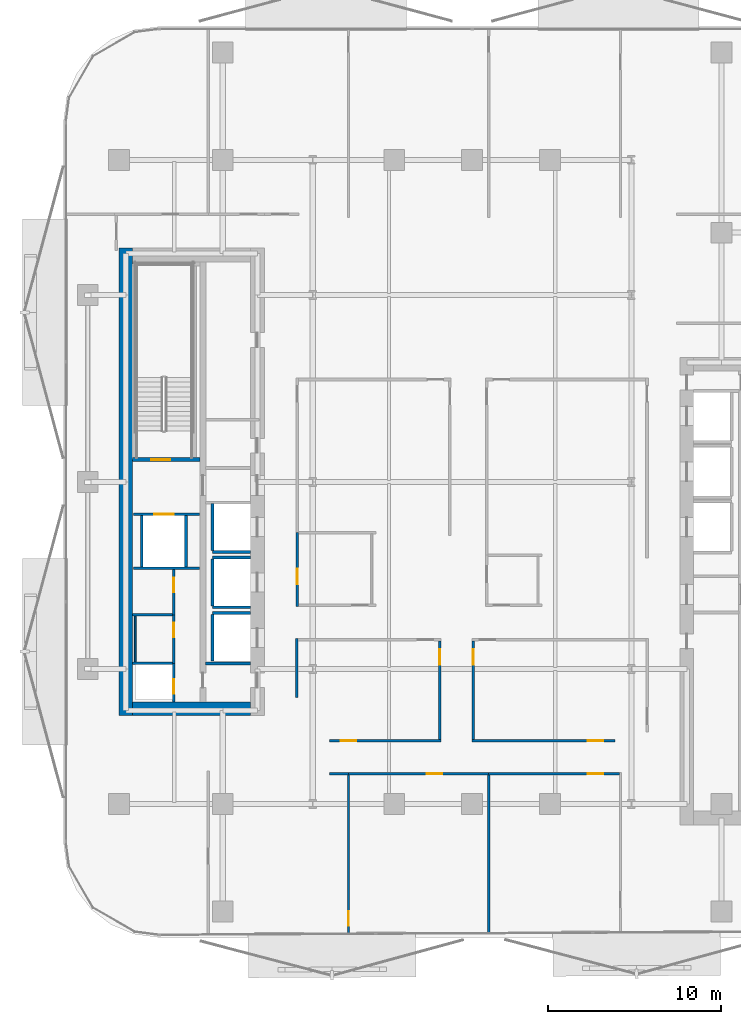
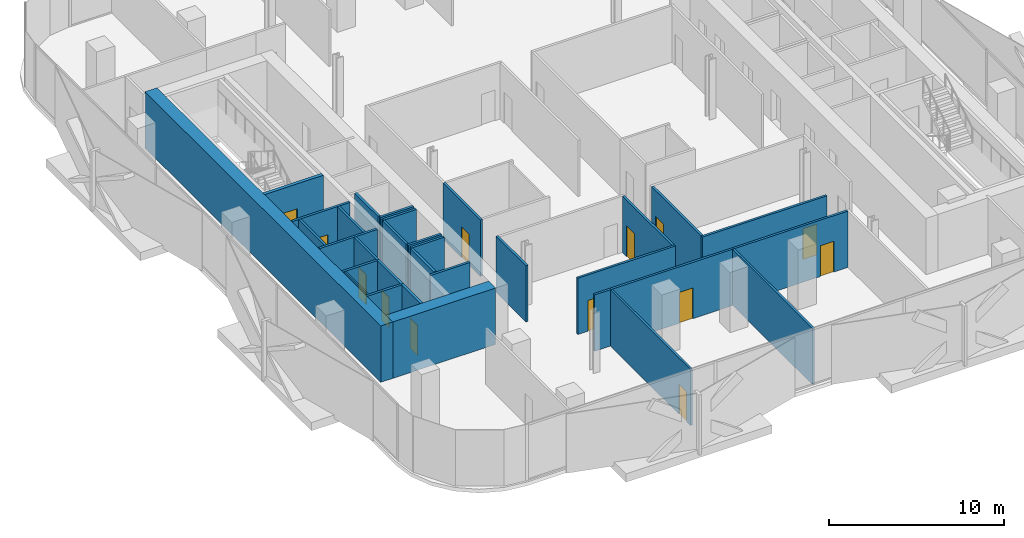
# One storey, part 3 of 15: 32 walls, 13 doors, 13 openings.
"""IFC4 building model written with IfcOpenShell, lengths in metres."""

from ifc_helpers import new_model, si_unit, direction, frame, frame_2d, origin, place, context, subcontext, project, spatial, rectangle, extrude, material, layer, layer_set, type_object, element, fill, save


model = new_model("IFC4")

# Units and contexts
model_context = context("Model", 3, precision=1e-05, world=origin(), true_north=direction((0.0, 1.0)))
body_context = subcontext(model_context, "Body", "Model", "MODEL_VIEW")
ifc_project = project(units=[si_unit("LENGTHUNIT", "METRE"), si_unit("AREAUNIT", "SQUARE_METRE"), si_unit("VOLUMEUNIT", "CUBIC_METRE"), si_unit("PLANEANGLEUNIT", "RADIAN"), si_unit("MASSUNIT", "GRAM", prefix="KILO")], contexts=[model_context])

# Site, building, storey
site_placement = place(None, origin())
site = spatial("IfcSite", under=ifc_project, at=site_placement, CompositionType="ELEMENT")
building_placement = place(site_placement, origin())
building = spatial("IfcBuilding", under=site, at=building_placement, Name="Khairoan Windgate Tower", CompositionType="ELEMENT")
storey_placement = place(building_placement, frame((0.0, 0.0, 135.199951171875)))
storey = spatial("IfcBuildingStorey", under=building, at=storey_placement, Name="L31", CompositionType="ELEMENT", Elevation=135.199951171875)

# Walls
ifc_material_1 = material(Name="Moisture-Resistant Gypsum Partition", Category="gypsum")
ifc_layer_1 = layer(ifc_material_1, 0.10009765625, Name="Moisture-Resistant Gypsum Partition")
ifc_layer_set_1 = layer_set([ifc_layer_1], Name="Moisture-Resistant Gypsum Partition")
wall_type_1 = type_object("IfcWallType", Name="Bathroom Wet-Area Partition Wall", PredefinedType="PARTITIONING", material=ifc_layer_set_1)
wall_1_placement = place(storey_placement, frame((-19.449951171875, -10.389892578125, 0.0), z_axis=(0.0, 0.0, 1.0), x_axis=(0.0, 1.0, 0.0)))
element("IfcWall", 1, at=wall_1_placement, inside=storey, type_object=wall_type_1, Name="L31 Wet Room Side Wall 053", PredefinedType="PARTITIONING", context=body_context, shape_type="SweptSolid", body=[
    extrude(rectangle(XDim=2.639892578125, YDim=0.10009765625, at=frame_2d((1.31982421875, 0.0))), origin(), (0.0, 0.0, 1.0), 3.93994140625),
])
ifc_material_2 = material(Name="Concrete C40/50", Category="concrete")
ifc_layer_2 = layer(ifc_material_2, 0.159912109375, Name="Concrete C40/50")
ifc_layer_set_2 = layer_set([ifc_layer_2], Name="Concrete C40/50")
wall_type_2 = type_object("IfcWallType", Name="Core and Hoistway Enclosure Wall", PredefinedType="STANDARD", material=ifc_layer_set_2)
wall_2_placement = place(storey_placement, frame((-14.989990234375, -4.0400390625, 0.0), z_axis=(0.0, 0.0, 1.0), x_axis=(1.0, 0.0, 0.0)))
element("IfcWall", 2, at=wall_2_placement, inside=storey, type_object=wall_type_2, Name="L31 Lift PL4 Hoistway Divider S", PredefinedType="STANDARD", context=body_context, shape_type="SweptSolid", body=[
    extrude(rectangle(XDim=2.18994140625, YDim=0.159912109375, at=frame_2d((1.094970703125, 0.0))), origin(), (0.0, 0.0, 1.0), 3.93994140625),
])
wall_3_placement = place(storey_placement, frame((-14.989990234375, -3.949951171875, 0.0), z_axis=(0.0, 0.0, 1.0), x_axis=(0.0, 1.0, 0.0)))
element("IfcWall", 3, at=wall_3_placement, inside=storey, type_object=wall_type_2, Name="L31 Lift PL4 Hoistway Back Wall", PredefinedType="STANDARD", context=body_context, shape_type="SweptSolid", body=[
    extrude(rectangle(XDim=2.699951171875, YDim=0.159912109375, at=frame_2d((1.35009765625, 0.0))), origin(), (0.0, 0.0, 1.0), 3.93994140625),
])
for number, where, z_axis, x_axis, name in (
    (4, (-14.989990234375, -7.239990234375, 0.0), (0.0, 0.0, 1.0), (1.0, 0.0, 0.0), "L31 Lift PL5 Hoistway Divider S"),
    (5, (-14.989990234375, -4.360107421875, 0.0), (0.0, 0.0, 1.0), (1.0, 0.0, 0.0), "L31 Lift PL5 Hoistway Divider N"),
):
    element("IfcWall", number, at=place(storey_placement, frame(where, z_axis=z_axis, x_axis=x_axis)), inside=storey, type_object=wall_type_2, Name=name, PredefinedType="STANDARD", context=body_context, shape_type="SweptSolid", body=[
        extrude(rectangle(XDim=2.18994140625, YDim=0.159912109375, at=frame_2d((1.094970703125, 0.0))), origin(), (0.0, 0.0, 1.0), 3.93994140625),
    ])
wall_4_placement = place(storey_placement, frame((-14.989990234375, -7.14990234375, 0.0), z_axis=(0.0, 0.0, 1.0), x_axis=(0.0, 1.0, 0.0)))
element("IfcWall", 6, at=wall_4_placement, inside=storey, type_object=wall_type_2, Name="L31 Lift PL5 Hoistway Back Wall", PredefinedType="STANDARD", context=body_context, shape_type="SweptSolid", body=[
    extrude(rectangle(XDim=2.699951171875, YDim=0.159912109375, at=frame_2d((1.35009765625, 0.0))), origin(), (0.0, 0.0, 1.0), 3.93994140625),
])
wall_5_placement = place(storey_placement, frame((-14.989990234375, -7.56005859375, 0.0), z_axis=(0.0, 0.0, 1.0), x_axis=(1.0, 0.0, 0.0)))
element("IfcWall", 7, at=wall_5_placement, inside=storey, type_object=wall_type_2, Name="L31 Lift PL6 Hoistway Divider N", PredefinedType="STANDARD", context=body_context, shape_type="SweptSolid", body=[
    extrude(rectangle(XDim=2.18994140625, YDim=0.159912109375, at=frame_2d((1.094970703125, 0.0))), origin(), (0.0, 0.0, 1.0), 3.93994140625),
])
wall_6_placement = place(storey_placement, frame((-14.989990234375, -10.35009765625, 0.0), z_axis=(0.0, 0.0, 1.0), x_axis=(0.0, 1.0, 0.0)))
element("IfcWall", 8, at=wall_6_placement, inside=storey, type_object=wall_type_2, Name="L31 Lift PL6 Hoistway Back Wall", PredefinedType="STANDARD", context=body_context, shape_type="SweptSolid", body=[
    extrude(rectangle(XDim=2.7001953125, YDim=0.159912109375, at=frame_2d((1.35009765625, 0.0))), origin(), (0.0, 0.0, 1.0), 3.93994140625),
])

# Wall, opening, door
wall_7_placement = place(storey_placement, frame((-19.550048828125, -1.860107421875, 0.0), z_axis=(0.0, 0.0, 1.0), x_axis=(1.0, 0.0, 0.0)))
wall_7 = element("IfcWall", 9, at=wall_7_placement, inside=storey, type_object=wall_type_2, Name="L31 Core Shaft Wall SW-FL2-L31", PredefinedType="STANDARD", context=body_context, shape_type="SweptSolid", body=[
    extrude(rectangle(XDim=3.800048828125, YDim=0.159912109375, at=frame_2d((1.89990234375, 0.0))), origin(), (0.0, 0.0, 1.0), 3.93994140625),
])
opening_1_placement = place(wall_7_placement, frame((1.179931640625, 0.0, 0.0)))
opening_1 = element("IfcOpeningElement", 10, at=opening_1_placement, cuts=wall_7, Name="Opening LD-FL", PredefinedType="OPENING", context=body_context, shape_type="SweptSolid", body=[
    extrude(rectangle(XDim=1.14990234375, YDim=2.199951171875, at=frame_2d((0.574951171875, 1.10009765625))), frame((0.0, 0.08984375, 0.0), z_axis=(0.0, -1.0, 0.0), x_axis=(1.0, 0.0, 0.0)), (0.0, 0.0, 1.0), 0.179931640625),
])
ifc_material_3 = material(Name="Steel S355", Category="steel")
door_type_1 = type_object("IfcDoorType", Name="Firefighting Lift Sliding Landing Door LD-FL 1150x2200", OperationType="DOUBLE_DOOR_SLIDING", PredefinedType="DOOR", material=ifc_material_3)
door_1_placement = place(opening_1_placement, origin())
door_1 = element("IfcDoor", 11, at=door_1_placement, inside=storey, type_object=door_type_1, Name="L31 Firefighting Lift FL2 Landing Door", OperationType="DOUBLE_DOOR_SLIDING", OverallHeight=2.199951171875, OverallWidth=1.14990234375, PredefinedType="DOOR", context=body_context, shape_type="SweptSolid", body=[
    extrude(rectangle(XDim=1.14990234375, YDim=2.199951171875, at=frame_2d((0.574951171875, 1.10009765625))), frame((0.0, 0.02490234375, 0.0), z_axis=(0.0, -1.0, 0.0), x_axis=(1.0, 0.0, 0.0)), (0.0, 0.0, 1.0), 0.050048828125),
])
fill(opening_1, door_1)

# Walls
wall_8_placement = place(storey_placement, frame((-19.550048828125, -4.97998046875, 0.0), z_axis=(0.0, 0.0, 1.0), x_axis=(1.0, 0.0, 0.0)))
element("IfcWall", 12, at=wall_8_placement, inside=storey, type_object=wall_type_2, Name="L31 Core Shaft Wall SW-FL2B-L31", PredefinedType="STANDARD", context=body_context, shape_type="SweptSolid", body=[
    extrude(rectangle(XDim=3.800048828125, YDim=0.159912109375, at=frame_2d((1.89990234375, 0.0))), origin(), (0.0, 0.0, 1.0), 3.93994140625),
])
for number, where, z_axis, x_axis, name in (
    (13, (-19.080078125, -4.89990234375, 0.0), (0.0, 0.0, 1.0), (0.0, 1.0, 0.0), "L31 Core Shaft Wall SW-FL2W-L31"),
    (14, (-16.52001953125, -4.89990234375, 0.0), (0.0, 0.0, 1.0), (0.0, 1.0, 0.0), "L31 Core Shaft Wall SW-FL2E-L31"),
):
    element("IfcWall", number, at=place(storey_placement, frame(where, z_axis=z_axis, x_axis=x_axis)), inside=storey, type_object=wall_type_2, Name=name, PredefinedType="STANDARD", context=body_context, shape_type="SweptSolid", body=[
        extrude(rectangle(XDim=2.9599609375, YDim=0.159912109375, at=frame_2d((1.47998046875, 0.0))), origin(), (0.0, 0.0, 1.0), 3.93994140625),
    ])
wall_9_placement = place(storey_placement, frame((-15.39990234375, -10.47998046875, 0.0), z_axis=(0.0, 0.0, 1.0), x_axis=(1.0, 0.0, 0.0)))
element("IfcWall", 15, at=wall_9_placement, inside=storey, type_object=wall_type_2, Name="L31 Core Shaft Wall SW-WSV-L31", PredefinedType="STANDARD", context=body_context, shape_type="SweptSolid", body=[
    extrude(rectangle(XDim=2.599853515625, YDim=0.159912109375, at=frame_2d((1.2998046875, 0.0))), origin(), (0.0, 0.0, 1.0), 3.93994140625),
])

# Wall, opening, door
ifc_material_4 = material(Name="Acoustic Fire-Rated Gypsum Partition", Category="gypsum")
ifc_layer_3 = layer(ifc_material_4, 0.139892578125, Name="Acoustic Fire-Rated Gypsum Partition")
ifc_layer_set_3 = layer_set([ifc_layer_3], Name="Acoustic Fire-Rated Gypsum Partition")
wall_type_3 = type_object("IfcWallType", Name="Inter-Tenancy Compartment Wall", PredefinedType="PARTITIONING", material=ifc_layer_set_3)
wall_10_placement = place(storey_placement, frame((-7.139892578125, -26.101318359375, 0.0), z_axis=(0.0, 0.0, 1.0), x_axis=(0.0, 1.0, 0.0)))
wall_10 = element("IfcWall", 16, at=wall_10_placement, inside=storey, type_object=wall_type_3, Name="L31 Interior Partition 047", PredefinedType="PARTITIONING", context=body_context, shape_type="SweptSolid", body=[
    extrude(rectangle(XDim=9.166259765625, YDim=0.139892578125, at=frame_2d((4.5830078125, 0.0))), origin(), (0.0, 0.0, 1.0), 3.93994140625),
])
opening_2_placement = place(wall_10_placement, frame((0.4599609375, 0.0, 0.0)))
opening_2 = element("IfcOpeningElement", 17, at=opening_2_placement, cuts=wall_10, Name="Opening FD-SRV", PredefinedType="OPENING", context=body_context, shape_type="SweptSolid", body=[
    extrude(rectangle(XDim=0.85009765625, YDim=2.10009765625, at=frame_2d((0.425048828125, 1.050048828125))), frame((0.0, 0.079833984375, 0.0), z_axis=(0.0, -1.0, 0.0), x_axis=(1.0, 0.0, 0.0)), (0.0, 0.0, 1.0), 0.159912109375),
])
ifc_material_5 = material(Name="Steel S355", Category="steel")
door_type_2 = type_object("IfcDoorType", Name="Core Service and Riser Fire Door FD-SRV 850x2100", OperationType="NOTDEFINED", PredefinedType="DOOR", material=ifc_material_5)
door_2_placement = place(opening_2_placement, origin())
door_2 = element("IfcDoor", 18, at=door_2_placement, inside=storey, type_object=door_type_2, Name="L31 L31-46-L31-47 Door", OperationType="SINGLE_SWING_RIGHT", OverallHeight=2.10009765625, OverallWidth=0.85009765625, PredefinedType="DOOR", context=body_context, shape_type="SweptSolid", body=[
    extrude(rectangle(XDim=0.85009765625, YDim=2.10009765625, at=frame_2d((0.425048828125, 1.050048828125))), frame((0.0, 0.02490234375, 0.0), z_axis=(0.0, -1.0, 0.0), x_axis=(1.0, 0.0, 0.0)), (0.0, 0.0, 1.0), 0.050048828125),
])
fill(opening_2, door_2)

# Wall
wall_11_placement = place(storey_placement, frame((0.951904296875, -26.06201171875, 0.0), z_axis=(0.0, 0.0, 1.0), x_axis=(0.0, 1.0, 0.0)))
element("IfcWall", 19, at=wall_11_placement, inside=storey, type_object=wall_type_3, Name="L31 Interior Partition 048", PredefinedType="PARTITIONING", context=body_context, shape_type="SweptSolid", body=[
    extrude(rectangle(XDim=9.126953125, YDim=0.139892578125, at=frame_2d((4.5634765625, 0.0))), origin(), (0.0, 0.0, 1.0), 3.93994140625),
])

# Wall, opening, door
ifc_material_6 = material(Name="Concrete C40/50", Category="concrete")
ifc_layer_4 = layer(ifc_material_6, 0.159912109375, Name="Concrete C40/50")
ifc_layer_set_4 = layer_set([ifc_layer_4], Name="Concrete C40/50")
wall_type_4 = type_object("IfcWallType", Name="Plant and Refuge Compartment Wall", PredefinedType="PARTITIONING", material=ifc_layer_set_4)
wall_12_placement = place(storey_placement, frame((-17.22998046875, -12.699951171875, 0.0), z_axis=(0.0, 0.0, 1.0), x_axis=(0.0, 1.0, 0.0)))
wall_12 = element("IfcWall", 20, at=wall_12_placement, inside=storey, type_object=wall_type_4, Name="L31 Interior Partition 001", PredefinedType="PARTITIONING", context=body_context, shape_type="SweptSolid", body=[
    extrude(rectangle(XDim=2.22998046875, YDim=0.159912109375, at=frame_2d((1.114990234375, 0.0))), origin(), (0.0, 0.0, 1.0), 3.93994140625),
])
opening_3_placement = place(wall_12_placement, frame((0.4599609375, 0.0, 0.0)))
opening_3 = element("IfcOpeningElement", 21, at=opening_3_placement, cuts=wall_12, Name="Opening FD-SRV", PredefinedType="OPENING", context=body_context, shape_type="SweptSolid", body=[
    extrude(rectangle(XDim=0.85009765625, YDim=2.10009765625, at=frame_2d((0.425048828125, 1.050048828125))), frame((0.0, 0.08984375, 0.0), z_axis=(0.0, -1.0, 0.0), x_axis=(1.0, 0.0, 0.0)), (0.0, 0.0, 1.0), 0.179931640625),
])
door_3_placement = place(opening_3_placement, origin())
door_3 = element("IfcDoor", 22, at=door_3_placement, inside=storey, type_object=door_type_2, Name="L31 L31-04-L31-05 Door", OperationType="SINGLE_SWING_LEFT", OverallHeight=2.10009765625, OverallWidth=0.85009765625, PredefinedType="DOOR", context=body_context, shape_type="SweptSolid", body=[
    extrude(rectangle(XDim=0.85009765625, YDim=2.10009765625, at=frame_2d((0.425048828125, 1.050048828125))), frame((0.0, 0.02490234375, 0.0), z_axis=(0.0, -1.0, 0.0), x_axis=(1.0, 0.0, 0.0)), (0.0, 0.0, 1.0), 0.050048828125),
])
fill(opening_3, door_3)

wall_13_placement = place(storey_placement, frame((-17.22998046875, -10.469970703125, 0.0), z_axis=(0.0, 0.0, 1.0), x_axis=(0.0, 1.0, 0.0)))
wall_13 = element("IfcWall", 23, at=wall_13_placement, inside=storey, type_object=wall_type_4, Name="L31 Interior Partition 002", PredefinedType="PARTITIONING", context=body_context, shape_type="SweptSolid", body=[
    extrude(rectangle(XDim=2.800048828125, YDim=0.159912109375, at=frame_2d((1.39990234375, 0.0))), origin(), (0.0, 0.0, 1.0), 3.93994140625),
])
opening_4_placement = place(wall_13_placement, frame((1.489990234375, 0.0, 0.0)))
opening_4 = element("IfcOpeningElement", 24, at=opening_4_placement, cuts=wall_13, Name="Opening FD-SRV", PredefinedType="OPENING", context=body_context, shape_type="SweptSolid", body=[
    extrude(rectangle(XDim=0.85009765625, YDim=2.10009765625, at=frame_2d((0.425048828125, 1.050048828125))), frame((0.0, 0.08984375, 0.0), z_axis=(0.0, -1.0, 0.0), x_axis=(1.0, 0.0, 0.0)), (0.0, 0.0, 1.0), 0.179931640625),
])
door_4_placement = place(opening_4_placement, origin())
door_4 = element("IfcDoor", 25, at=door_4_placement, inside=storey, type_object=door_type_2, Name="L31 L31-04-L31-06 Door", OperationType="SINGLE_SWING_RIGHT", OverallHeight=2.10009765625, OverallWidth=0.85009765625, PredefinedType="DOOR", context=body_context, shape_type="SweptSolid", body=[
    extrude(rectangle(XDim=0.85009765625, YDim=2.10009765625, at=frame_2d((0.425048828125, 1.050048828125))), frame((0.0, 0.02490234375, 0.0), z_axis=(0.0, -1.0, 0.0), x_axis=(1.0, 0.0, 0.0)), (0.0, 0.0, 1.0), 0.050048828125),
])
fill(opening_4, door_4)

wall_14_placement = place(storey_placement, frame((-17.22998046875, -7.669921875, 0.0), z_axis=(0.0, 0.0, 1.0), x_axis=(0.0, 1.0, 0.0)))
wall_14 = element("IfcWall", 26, at=wall_14_placement, inside=storey, type_object=wall_type_4, Name="L31 Interior Partition 003", PredefinedType="PARTITIONING", context=body_context, shape_type="SweptSolid", body=[
    extrude(rectangle(XDim=2.60986328125, YDim=0.159912109375, at=frame_2d((1.304931640625, 0.0))), origin(), (0.0, 0.0, 1.0), 3.93994140625),
])
opening_5_placement = place(wall_14_placement, frame((1.300048828125, 0.0, 0.0)))
opening_5 = element("IfcOpeningElement", 27, at=opening_5_placement, cuts=wall_14, Name="Opening FD-SRV", PredefinedType="OPENING", context=body_context, shape_type="SweptSolid", body=[
    extrude(rectangle(XDim=0.85009765625, YDim=2.10009765625, at=frame_2d((0.425048828125, 1.050048828125))), frame((0.0, 0.08984375, 0.0), z_axis=(0.0, -1.0, 0.0), x_axis=(1.0, 0.0, 0.0)), (0.0, 0.0, 1.0), 0.179931640625),
])
door_5_placement = place(opening_5_placement, origin())
door_5 = element("IfcDoor", 28, at=door_5_placement, inside=storey, type_object=door_type_2, Name="L31 L31-04-L31-07 Door", OperationType="SINGLE_SWING_LEFT", OverallHeight=2.10009765625, OverallWidth=0.85009765625, PredefinedType="DOOR", context=body_context, shape_type="SweptSolid", body=[
    extrude(rectangle(XDim=0.85009765625, YDim=2.10009765625, at=frame_2d((0.425048828125, 1.050048828125))), frame((0.0, 0.02490234375, 0.0), z_axis=(0.0, -1.0, 0.0), x_axis=(1.0, 0.0, 0.0)), (0.0, 0.0, 1.0), 0.050048828125),
])
fill(opening_5, door_5)

# Walls
for number, where, z_axis, x_axis, name in (
    (29, (-19.60009765625, -10.469970703125, 0.0), (0.0, 0.0, 1.0), (1.0, 0.0, 0.0), "L31 Interior Partition 004"),
    (30, (-19.60009765625, -7.669921875, 0.0), (0.0, 0.0, 1.0), (1.0, 0.0, 0.0), "L31 Interior Partition 005"),
):
    element("IfcWall", number, at=place(storey_placement, frame(where, z_axis=z_axis, x_axis=x_axis)), inside=storey, type_object=wall_type_4, Name=name, PredefinedType="PARTITIONING", context=body_context, shape_type="SweptSolid", body=[
        extrude(rectangle(XDim=2.2900390625, YDim=0.159912109375, at=frame_2d((1.14501953125, 0.0))), origin(), (0.0, 0.0, 1.0), 3.93994140625),
    ])

# Wall, opening, door
ifc_material_7 = material(Name="Acoustic Fire-Rated Gypsum Partition", Category="gypsum")
ifc_layer_5 = layer(ifc_material_7, 0.14990234375, Name="Acoustic Fire-Rated Gypsum Partition")
ifc_layer_set_5 = layer_set([ifc_layer_5], Name="Acoustic Fire-Rated Gypsum Partition")
wall_type_5 = type_object("IfcWallType", Name="Rated Corridor Partition Wall", PredefinedType="PARTITIONING", material=ifc_layer_set_5)
wall_15_placement = place(storey_placement, frame((-10.10009765625, -7.195068359375, 0.0), z_axis=(0.0, 0.0, 1.0), x_axis=(0.0, 1.0, 0.0)))
wall_15 = element("IfcWall", 31, at=wall_15_placement, inside=storey, type_object=wall_type_5, Name="L31 Interior Partition 011", PredefinedType="PARTITIONING", context=body_context, shape_type="SweptSolid", body=[
    extrude(rectangle(XDim=4.275146484375, YDim=0.14990234375, at=frame_2d((2.1376953125, 0.0))), origin(), (0.0, 0.0, 1.0), 3.93994140625),
])
opening_6_placement = place(wall_15_placement, frame((1.2783203125, 0.0, 0.0)))
opening_6 = element("IfcOpeningElement", 32, at=opening_6_placement, cuts=wall_15, Name="Opening FD-ENT", PredefinedType="OPENING", context=body_context, shape_type="SweptSolid", body=[
    extrude(rectangle(XDim=0.89990234375, YDim=2.14990234375, at=frame_2d((0.449951171875, 1.074951171875))), frame((0.0, 0.0849609375, 0.0), z_axis=(0.0, -1.0, 0.0), x_axis=(1.0, 0.0, 0.0)), (0.0, 0.0, 1.0), 0.169921875),
])
ifc_material_8 = material(Name="Timber Fire-Rated Core", Category="wood")
door_type_3 = type_object("IfcDoorType", Name="Unit and Office Fire Entrance Door FD-ENT 900x2150", OperationType="NOTDEFINED", PredefinedType="DOOR", material=ifc_material_8)
door_6_placement = place(opening_6_placement, origin())
door_6 = element("IfcDoor", 33, at=door_6_placement, inside=storey, type_object=door_type_3, Name="L31 L31-27-L31-53 Door", OperationType="SINGLE_SWING_LEFT", OverallHeight=2.14990234375, OverallWidth=0.89990234375, PredefinedType="DOOR", context=body_context, shape_type="SweptSolid", body=[
    extrude(rectangle(XDim=0.89990234375, YDim=2.14990234375, at=frame_2d((0.449951171875, 1.074951171875))), frame((0.0, 0.02490234375, 0.0), z_axis=(0.0, -1.0, 0.0), x_axis=(1.0, 0.0, 0.0)), (0.0, 0.0, 1.0), 0.050048828125),
])
fill(opening_6, door_6)

# Walls
wall_16_placement = place(storey_placement, frame((-10.125, -12.43994140625, 0.0), z_axis=(0.0, 0.0, 1.0), x_axis=(0.0, 1.0, 0.0)))
element("IfcWall", 34, at=wall_16_placement, inside=storey, type_object=wall_type_5, Name="L31 Interior Partition 013", PredefinedType="PARTITIONING", context=body_context, shape_type="SweptSolid", body=[
    extrude(rectangle(XDim=3.39990234375, YDim=0.14990234375, at=frame_2d((1.699951171875, 0.0))), origin(), (0.0, 0.0, 1.0), 3.93994140625),
])
wall_17_placement = place(storey_placement, frame((-8.239990234375, -16.860107421875, 0.0), z_axis=(0.0, 0.0, 1.0), x_axis=(1.0, 0.0, 0.0)))
element("IfcWall", 35, at=wall_17_placement, inside=storey, type_object=wall_type_5, Name="L31 Interior Partition 030", PredefinedType="PARTITIONING", context=body_context, shape_type="SweptSolid", body=[
    extrude(rectangle(XDim=1.10009765625, YDim=0.14990234375, at=frame_2d((0.550048828125, 0.0))), origin(), (0.0, 0.0, 1.0), 3.93994140625),
])

# Wall, opening, door
wall_18_placement = place(storey_placement, frame((-7.139892578125, -16.860107421875, 0.0), z_axis=(0.0, 0.0, 1.0), x_axis=(1.0, 0.0, 0.0)))
wall_18 = element("IfcWall", 36, at=wall_18_placement, inside=storey, type_object=wall_type_5, Name="L31 Interior Partition 031", PredefinedType="PARTITIONING", context=body_context, shape_type="SweptSolid", body=[
    extrude(rectangle(XDim=8.091796875, YDim=0.14990234375, at=frame_2d((4.0458984375, 0.0))), origin(), (0.0, 0.0, 1.0), 3.93994140625),
])
opening_7_placement = place(wall_18_placement, frame((4.506591796875, 0.0, 0.0)))
opening_7 = element("IfcOpeningElement", 37, at=opening_7_placement, cuts=wall_18, Name="Opening FD-ENT", PredefinedType="OPENING", context=body_context, shape_type="SweptSolid", body=[
    extrude(rectangle(XDim=0.89990234375, YDim=2.14990234375, at=frame_2d((0.449951171875, 1.074951171875))), frame((0.0, 0.0849609375, 0.0), z_axis=(0.0, -1.0, 0.0), x_axis=(1.0, 0.0, 0.0)), (0.0, 0.0, 1.0), 0.169921875),
])
door_7_placement = place(opening_7_placement, origin())
door_7 = element("IfcDoor", 38, at=door_7_placement, inside=storey, type_object=door_type_3, Name="L31 L31-34-L31-47 Door", OperationType="SINGLE_SWING_LEFT", OverallHeight=2.14990234375, OverallWidth=0.89990234375, PredefinedType="DOOR", context=body_context, shape_type="SweptSolid", body=[
    extrude(rectangle(XDim=0.89990234375, YDim=2.14990234375, at=frame_2d((0.449951171875, 1.074951171875))), frame((0.0, 0.02490234375, 0.0), z_axis=(0.0, -1.0, 0.0), x_axis=(1.0, 0.0, 0.0)), (0.0, 0.0, 1.0), 0.050048828125),
])
fill(opening_7, door_7)

wall_19_placement = place(storey_placement, frame((0.951904296875, -16.860107421875, 0.0), z_axis=(0.0, 0.0, 1.0), x_axis=(1.0, 0.0, 0.0)))
wall_19 = element("IfcWall", 39, at=wall_19_placement, inside=storey, type_object=wall_type_5, Name="L31 Interior Partition 032", PredefinedType="PARTITIONING", context=body_context, shape_type="SweptSolid", body=[
    extrude(rectangle(XDim=7.546142578125, YDim=0.14990234375, at=frame_2d((3.77294921875, 0.0))), origin(), (0.0, 0.0, 1.0), 3.93994140625),
])
opening_8_placement = place(wall_19_placement, frame((5.7255859375, 0.0, 0.0)))
opening_8 = element("IfcOpeningElement", 40, at=opening_8_placement, cuts=wall_19, Name="Opening FD-ENT", PredefinedType="OPENING", context=body_context, shape_type="SweptSolid", body=[
    extrude(rectangle(XDim=0.89990234375, YDim=2.14990234375, at=frame_2d((0.449951171875, 1.074951171875))), frame((0.0, 0.0849609375, 0.0), z_axis=(0.0, -1.0, 0.0), x_axis=(1.0, 0.0, 0.0)), (0.0, 0.0, 1.0), 0.169921875),
])
door_8_placement = place(opening_8_placement, origin())
door_8 = element("IfcDoor", 41, at=door_8_placement, inside=storey, type_object=door_type_3, Name="L31 L31-34-L31-48 Door", OperationType="SINGLE_SWING_RIGHT", OverallHeight=2.14990234375, OverallWidth=0.89990234375, PredefinedType="DOOR", context=body_context, shape_type="SweptSolid", body=[
    extrude(rectangle(XDim=0.89990234375, YDim=2.14990234375, at=frame_2d((0.449951171875, 1.074951171875))), frame((0.0, 0.02490234375, 0.0), z_axis=(0.0, -1.0, 0.0), x_axis=(1.0, 0.0, 0.0)), (0.0, 0.0, 1.0), 0.050048828125),
])
fill(opening_8, door_8)

wall_20_placement = place(storey_placement, frame((-8.239990234375, -14.93994140625, 0.0), z_axis=(0.0, 0.0, 1.0), x_axis=(1.0, 0.0, 0.0)))
wall_20 = element("IfcWall", 42, at=wall_20_placement, inside=storey, type_object=wall_type_5, Name="L31 Interior Partition 033", PredefinedType="PARTITIONING", context=body_context, shape_type="SweptSolid", body=[
    extrude(rectangle(XDim=6.455078125, YDim=0.14990234375, at=frame_2d((3.2275390625, 0.0))), origin(), (0.0, 0.0, 1.0), 3.93994140625),
])
opening_9_placement = place(wall_20_placement, frame((0.66162109375, 0.0, 0.0)))
opening_9 = element("IfcOpeningElement", 43, at=opening_9_placement, cuts=wall_20, Name="Opening FD-ENT", PredefinedType="OPENING", context=body_context, shape_type="SweptSolid", body=[
    extrude(rectangle(XDim=0.89990234375, YDim=2.14990234375, at=frame_2d((0.449951171875, 1.074951171875))), frame((0.0, 0.0849609375, 0.0), z_axis=(0.0, -1.0, 0.0), x_axis=(1.0, 0.0, 0.0)), (0.0, 0.0, 1.0), 0.169921875),
])
door_9_placement = place(opening_9_placement, origin())
door_9 = element("IfcDoor", 44, at=door_9_placement, inside=storey, type_object=door_type_3, Name="L31 L31-34-L31-55 Door", OperationType="SINGLE_SWING_LEFT", OverallHeight=2.14990234375, OverallWidth=0.89990234375, PredefinedType="DOOR", context=body_context, shape_type="SweptSolid", body=[
    extrude(rectangle(XDim=0.89990234375, YDim=2.14990234375, at=frame_2d((0.449951171875, 1.074951171875))), frame((0.0, 0.02490234375, 0.0), z_axis=(0.0, -1.0, 0.0), x_axis=(1.0, 0.0, 0.0)), (0.0, 0.0, 1.0), 0.050048828125),
])
fill(opening_9, door_9)

wall_21_placement = place(storey_placement, frame((-0.014892578125, -14.93994140625, 0.0), z_axis=(0.0, 0.0, 1.0), x_axis=(1.0, 0.0, 0.0)))
wall_21 = element("IfcWall", 45, at=wall_21_placement, inside=storey, type_object=wall_type_5, Name="L31 Interior Partition 034", PredefinedType="PARTITIONING", context=body_context, shape_type="SweptSolid", body=[
    extrude(rectangle(XDim=8.2548828125, YDim=0.14990234375, at=frame_2d((4.12744140625, 0.0))), origin(), (0.0, 0.0, 1.0), 3.93994140625),
])
opening_10_placement = place(wall_21_placement, frame((6.69384765625, 0.0, 0.0)))
opening_10 = element("IfcOpeningElement", 46, at=opening_10_placement, cuts=wall_21, Name="Opening FD-ENT", PredefinedType="OPENING", context=body_context, shape_type="SweptSolid", body=[
    extrude(rectangle(XDim=0.89990234375, YDim=2.14990234375, at=frame_2d((0.449951171875, 1.074951171875))), frame((0.0, 0.0849609375, 0.0), z_axis=(0.0, -1.0, 0.0), x_axis=(1.0, 0.0, 0.0)), (0.0, 0.0, 1.0), 0.169921875),
])
door_10_placement = place(opening_10_placement, origin())
door_10 = element("IfcDoor", 47, at=door_10_placement, inside=storey, type_object=door_type_3, Name="L31 L31-34-L31-56 Door", OperationType="SINGLE_SWING_RIGHT", OverallHeight=2.14990234375, OverallWidth=0.89990234375, PredefinedType="DOOR", context=body_context, shape_type="SweptSolid", body=[
    extrude(rectangle(XDim=0.89990234375, YDim=2.14990234375, at=frame_2d((0.449951171875, 1.074951171875))), frame((0.0, 0.02490234375, 0.0), z_axis=(0.0, -1.0, 0.0), x_axis=(1.0, 0.0, 0.0)), (0.0, 0.0, 1.0), 0.050048828125),
])
fill(opening_10, door_10)

wall_22_placement = place(storey_placement, frame((-1.860107421875, -14.864990234375, 0.0), z_axis=(0.0, 0.0, 1.0), x_axis=(0.0, 1.0, 0.0)))
wall_22 = element("IfcWall", 48, at=wall_22_placement, inside=storey, type_object=wall_type_5, Name="L31 Interior Partition 035", PredefinedType="PARTITIONING", context=body_context, shape_type="SweptSolid", body=[
    extrude(rectangle(XDim=5.675048828125, YDim=0.14990234375, at=frame_2d((2.83740234375, 0.0))), origin(), (0.0, 0.0, 1.0), 3.93994140625),
])
opening_11_placement = place(wall_22_placement, frame((4.31494140625, 0.0, 0.0)))
opening_11 = element("IfcOpeningElement", 49, at=opening_11_placement, cuts=wall_22, Name="Opening FD-ENT", PredefinedType="OPENING", context=body_context, shape_type="SweptSolid", body=[
    extrude(rectangle(XDim=0.89990234375, YDim=2.14990234375, at=frame_2d((0.449951171875, 1.074951171875))), frame((0.0, 0.0849609375, 0.0), z_axis=(0.0, -1.0, 0.0), x_axis=(1.0, 0.0, 0.0)), (0.0, 0.0, 1.0), 0.169921875),
])
door_11_placement = place(opening_11_placement, origin())
door_11 = element("IfcDoor", 50, at=door_11_placement, inside=storey, type_object=door_type_3, Name="L31 L31-35-L31-55 Door", OperationType="SINGLE_SWING_LEFT", OverallHeight=2.14990234375, OverallWidth=0.89990234375, PredefinedType="DOOR", context=body_context, shape_type="SweptSolid", body=[
    extrude(rectangle(XDim=0.89990234375, YDim=2.14990234375, at=frame_2d((0.449951171875, 1.074951171875))), frame((0.0, 0.02490234375, 0.0), z_axis=(0.0, -1.0, 0.0), x_axis=(1.0, 0.0, 0.0)), (0.0, 0.0, 1.0), 0.050048828125),
])
fill(opening_11, door_11)

wall_23_placement = place(storey_placement, frame((0.06005859375, -14.864990234375, 0.0), z_axis=(0.0, 0.0, 1.0), x_axis=(0.0, 1.0, 0.0)))
wall_23 = element("IfcWall", 51, at=wall_23_placement, inside=storey, type_object=wall_type_5, Name="L31 Interior Partition 036", PredefinedType="PARTITIONING", context=body_context, shape_type="SweptSolid", body=[
    extrude(rectangle(XDim=5.675048828125, YDim=0.14990234375, at=frame_2d((2.83740234375, 0.0))), origin(), (0.0, 0.0, 1.0), 3.93994140625),
])
opening_12_placement = place(wall_23_placement, frame((4.31494140625, 0.0, 0.0)))
opening_12 = element("IfcOpeningElement", 52, at=opening_12_placement, cuts=wall_23, Name="Opening FD-ENT", PredefinedType="OPENING", context=body_context, shape_type="SweptSolid", body=[
    extrude(rectangle(XDim=0.89990234375, YDim=2.14990234375, at=frame_2d((0.449951171875, 1.074951171875))), frame((0.0, 0.0849609375, 0.0), z_axis=(0.0, -1.0, 0.0), x_axis=(1.0, 0.0, 0.0)), (0.0, 0.0, 1.0), 0.169921875),
])
door_12_placement = place(opening_12_placement, origin())
door_12 = element("IfcDoor", 53, at=door_12_placement, inside=storey, type_object=door_type_3, Name="L31 L31-35-L31-56 Door", OperationType="SINGLE_SWING_RIGHT", OverallHeight=2.14990234375, OverallWidth=0.89990234375, PredefinedType="DOOR", context=body_context, shape_type="SweptSolid", body=[
    extrude(rectangle(XDim=0.89990234375, YDim=2.14990234375, at=frame_2d((0.449951171875, 1.074951171875))), frame((0.0, 0.02490234375, 0.0), z_axis=(0.0, -1.0, 0.0), x_axis=(1.0, 0.0, 0.0)), (0.0, 0.0, 1.0), 0.050048828125),
])
fill(opening_12, door_12)

# Walls
ifc_material_9 = material(Name="Concrete C70/85", Category="concrete")
ifc_layer_6 = layer(ifc_material_9, 0.800048828125, Name="Concrete C70/85")
ifc_layer_set_6 = layer_set([ifc_layer_6], Name="Concrete C70/85")
wall_type_6 = type_object("IfcWallType", Name="Shear Wall CW-W1 800mm", PredefinedType="SHEAR", material=ifc_layer_set_6)
wall_24_placement = place(storey_placement, frame((-20.0, -13.5, 0.0), z_axis=(0.0, 0.0, 1.0), x_axis=(0.0, 1.0, 0.0)))
element("IfcWall", 54, at=wall_24_placement, inside=storey, type_object=wall_type_6, Name="W Core West Shear Wall L31", PredefinedType="SHEAR", context=body_context, shape_type="SweptSolid", body=[
    extrude(rectangle(XDim=27.0, YDim=0.800048828125, at=frame_2d((13.5, 0.0))), origin(), (0.0, 0.0, 1.0), 3.93994140625),
])
wall_25_placement = place(storey_placement, frame((-19.60009765625, -13.10009765625, 0.0), z_axis=(0.0, 0.0, 1.0), x_axis=(1.0, 0.0, 0.0)))
element("IfcWall", 55, at=wall_25_placement, inside=storey, type_object=wall_type_6, Name="W Core South Shear Wall L31", PredefinedType="SHEAR", context=body_context, shape_type="SweptSolid", body=[
    extrude(rectangle(XDim=6.800048828125, YDim=0.800048828125, at=frame_2d((3.39990234375, 0.0))), origin(), (0.0, 0.0, 1.0), 3.93994140625),
])

# Wall, opening, door
ifc_material_10 = material(Name="Concrete C50/60", Category="concrete")
ifc_layer_7 = layer(ifc_material_10, 0.219970703125, Name="Concrete C50/60")
ifc_layer_set_7 = layer_set([ifc_layer_7], Name="Concrete C50/60")
wall_type_7 = type_object("IfcWallType", Name="Shear Wall SW-ST 220mm", PredefinedType="SHEAR", material=ifc_layer_set_7)
wall_26_placement = place(storey_placement, frame((-19.6201171875, 1.2900390625, 0.0), z_axis=(0.0, 0.0, 1.0), x_axis=(1.0, 0.0, 0.0)))
wall_26 = element("IfcWall", 56, at=wall_26_placement, inside=storey, type_object=wall_type_7, Name="L31 Stair ST2 South Bearing Wall", PredefinedType="SHEAR", context=body_context, shape_type="SweptSolid", body=[
    extrude(rectangle(XDim=3.9150390625, YDim=0.219970703125, at=frame_2d((1.95751953125, 0.0))), origin(), (0.0, 0.0, 1.0), 3.93994140625),
])
opening_13_placement = place(wall_26_placement, frame((1.080078125, 0.0, 0.0)))
opening_13 = element("IfcOpeningElement", 57, at=opening_13_placement, cuts=wall_26, Name="Opening FD-ST", PredefinedType="OPENING", context=body_context, shape_type="SweptSolid", body=[
    extrude(rectangle(XDim=1.10009765625, YDim=2.199951171875, at=frame_2d((0.550048828125, 1.10009765625))), frame((0.0, 0.119873046875, 0.0), z_axis=(0.0, -1.0, 0.0), x_axis=(1.0, 0.0, 0.0)), (0.0, 0.0, 1.0), 0.239990234375),
])
ifc_material_11 = material(Name="Steel S355", Category="steel")
door_type_4 = type_object("IfcDoorType", Name="Smokeproof Stair Fire Door FD-ST 1100x2200", OperationType="NOTDEFINED", PredefinedType="DOOR", material=ifc_material_11)
door_13_placement = place(opening_13_placement, origin())
door_13 = element("IfcDoor", 58, at=door_13_placement, inside=storey, type_object=door_type_4, Name="L31 Stair ST2 Fire Door", OperationType="SINGLE_SWING_LEFT", OverallHeight=2.199951171875, OverallWidth=1.10009765625, PredefinedType="DOOR", context=body_context, shape_type="SweptSolid", body=[
    extrude(rectangle(XDim=1.10009765625, YDim=2.199951171875, at=frame_2d((0.550048828125, 1.10009765625))), frame((0.0, 0.02490234375, 0.0), z_axis=(0.0, -1.0, 0.0), x_axis=(1.0, 0.0, 0.0)), (0.0, 0.0, 1.0), 0.050048828125),
])
fill(opening_13, door_13)

save(model, "model.ifc")
